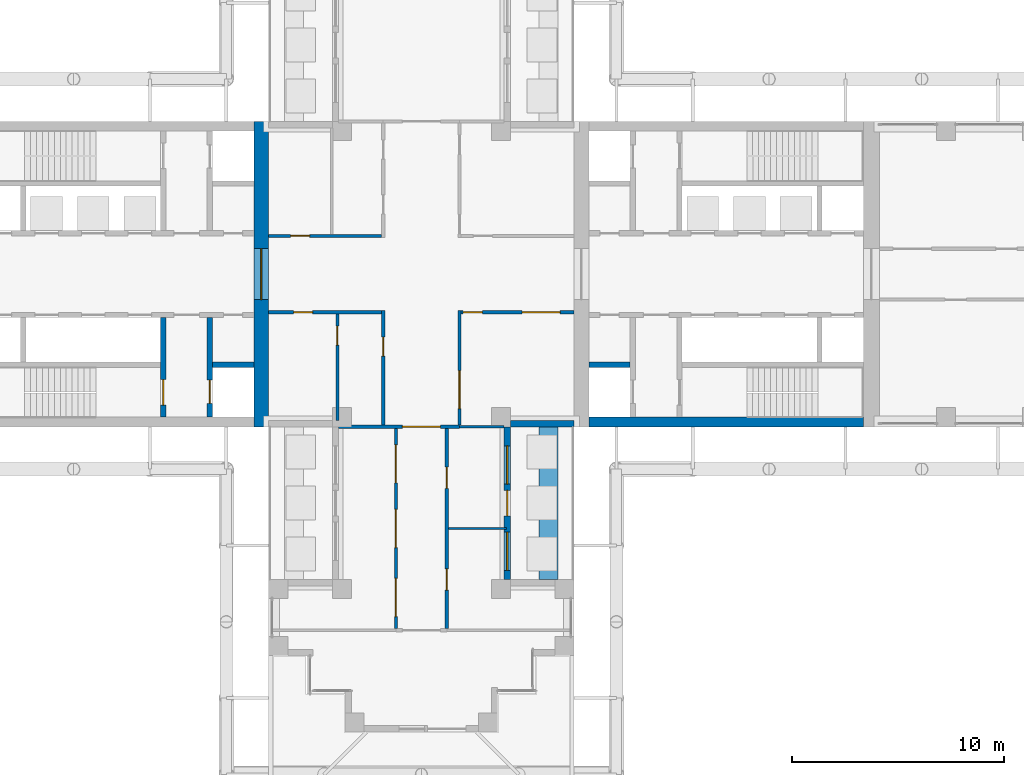
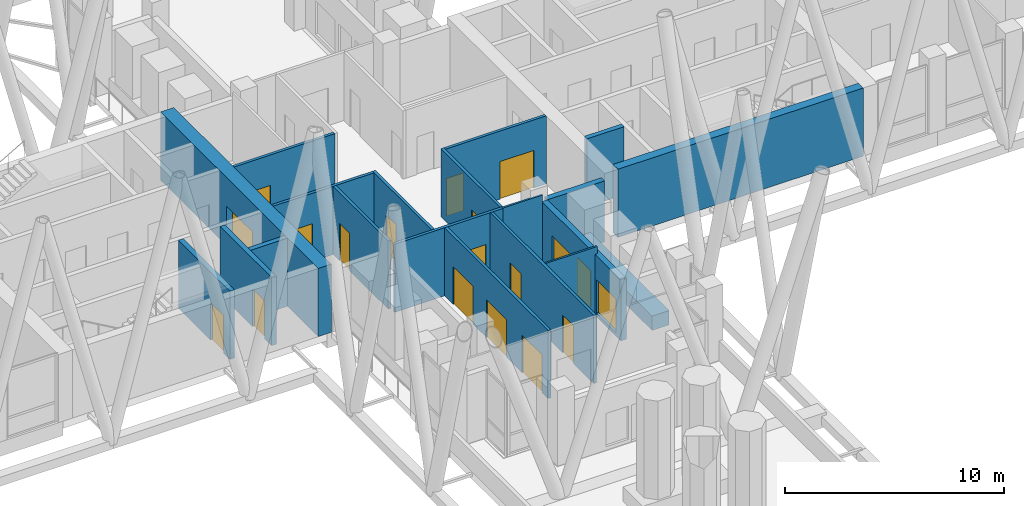
# One storey, part 15 of 22: 20 walls, 17 doors, 2 windows, 19 openings.
"""IFC4 building model written with IfcOpenShell, lengths in metres."""

from ifc_helpers import new_model, si_unit, direction, frame, frame_2d, origin, place, context, subcontext, project, spatial, rectangle, extrude, material, layer, layer_set, type_object, element, fill, save


model = new_model("IFC4")

# Units and contexts
model_context = context("Model", 3, precision=1e-05, world=origin(), true_north=direction((0.0, 1.0)))
body_context = subcontext(model_context, "Body", "Model", "MODEL_VIEW")
ifc_project = project(units=[si_unit("LENGTHUNIT", "METRE"), si_unit("AREAUNIT", "SQUARE_METRE"), si_unit("VOLUMEUNIT", "CUBIC_METRE"), si_unit("PLANEANGLEUNIT", "RADIAN"), si_unit("MASSUNIT", "GRAM", prefix="KILO")], contexts=[model_context])

# Site, building, storey
site_placement = place(None, origin())
site = spatial("IfcSite", under=ifc_project, at=site_placement, CompositionType="ELEMENT")
building_placement = place(site_placement, origin())
building = spatial("IfcBuilding", under=site, at=building_placement, Name="Fustian Cross Tower", CompositionType="ELEMENT")
storey_placement = place(building_placement, frame((0.0, 0.0, 116.10009765625)))
storey = spatial("IfcBuildingStorey", under=building, at=storey_placement, Name="L36", CompositionType="ELEMENT", Elevation=116.10009765625)

# Wall, opening, door
ifc_material_1 = material(Name="Plasterboard on steel stud", Category="steel")
ifc_layer_1 = layer(ifc_material_1, 0.14990234375)
ifc_layer_set_1 = layer_set([ifc_layer_1], Name="Plasterboard on steel stud")
wall_type_1 = type_object("IfcWallType", Name="COMPARTMENT WALL 150 EI 60", PredefinedType="PARTITIONING", material=ifc_layer_set_1)
wall_1_placement = place(storey_placement, frame((-7.199951171875, -1.800048828125, 0.0), z_axis=(0.0, 0.0, 1.0), x_axis=(1.0, 0.0, 0.0)))
wall_1 = element("IfcWall", 1, at=wall_1_placement, inside=storey, type_object=wall_type_1, Name="Partition 5", PredefinedType="PARTITIONING", context=body_context, shape_type="SweptSolid", body=[
    extrude(rectangle(XDim=5.324951171875, YDim=0.14990234375, at=frame_2d((2.66259765625, 0.0))), origin(), (0.0, 0.0, 1.0), 3.7998046875),
])
opening_1_placement = place(wall_1_placement, frame((1.169921875, 0.0, 0.0)))
opening_1 = element("IfcOpeningElement", 2, at=opening_1_placement, cuts=wall_1, Name="Opening D17009", PredefinedType="OPENING", context=body_context, shape_type="SweptSolid", body=[
    extrude(rectangle(XDim=0.89990234375, YDim=2.10009765625, at=frame_2d((0.449951171875, 1.050048828125))), frame((0.0, 0.0849609375, 0.0), z_axis=(0.0, -1.0, 0.0), x_axis=(1.0, 0.0, 0.0)), (0.0, 0.0, 1.0), 0.169921875),
])
ifc_material_2 = material(Name="Timber fire door set", Category="wood")
door_type_1 = type_object("IfcDoorType", Name="FIRE SWING DOOR 900 FD30S", OperationType="SINGLE_SWING_LEFT", PredefinedType="DOOR", material=ifc_material_2)
door_1_placement = place(opening_1_placement, origin())
door_1 = element("IfcDoor", 3, at=door_1_placement, inside=storey, type_object=door_type_1, Name="Door D17009", OperationType="SINGLE_SWING_LEFT", OverallHeight=2.10009765625, OverallWidth=0.89990234375, PredefinedType="DOOR", context=body_context, shape_type="SweptSolid", body=[
    extrude(rectangle(XDim=0.89990234375, YDim=2.10009765625, at=frame_2d((0.449951171875, 1.050048828125))), frame((0.0, 0.02490234375, 0.0), z_axis=(0.0, -1.0, 0.0), x_axis=(1.0, 0.0, 0.0)), (0.0, 0.0, 1.0), 0.050048828125),
])
fill(opening_1, door_1)

wall_2_placement = place(storey_placement, frame((-7.199951171875, 1.800048828125, 0.0), z_axis=(0.0, 0.0, 1.0), x_axis=(1.0, 0.0, 0.0)))
wall_2 = element("IfcWall", 4, at=wall_2_placement, inside=storey, type_object=wall_type_1, Name="Partition 6", PredefinedType="PARTITIONING", context=body_context, shape_type="SweptSolid", body=[
    extrude(rectangle(XDim=5.324951171875, YDim=0.14990234375, at=frame_2d((2.66259765625, 0.0))), origin(), (0.0, 0.0, 1.0), 3.7998046875),
])
opening_2_placement = place(wall_2_placement, frame((1.034912109375, 0.0, 0.0)))
opening_2 = element("IfcOpeningElement", 5, at=opening_2_placement, cuts=wall_2, Name="Opening D17006", PredefinedType="OPENING", context=body_context, shape_type="SweptSolid", body=[
    extrude(rectangle(XDim=0.89990234375, YDim=2.10009765625, at=frame_2d((0.449951171875, 1.050048828125))), frame((0.0, 0.0849609375, 0.0), z_axis=(0.0, -1.0, 0.0), x_axis=(1.0, 0.0, 0.0)), (0.0, 0.0, 1.0), 0.169921875),
])
door_2_placement = place(opening_2_placement, origin())
door_2 = element("IfcDoor", 6, at=door_2_placement, inside=storey, type_object=door_type_1, Name="Door D17006", OperationType="SINGLE_SWING_RIGHT", OverallHeight=2.10009765625, OverallWidth=0.89990234375, PredefinedType="DOOR", context=body_context, shape_type="SweptSolid", body=[
    extrude(rectangle(XDim=0.89990234375, YDim=2.10009765625, at=frame_2d((0.449951171875, 1.050048828125))), frame((0.0, 0.02490234375, 0.0), z_axis=(0.0, -1.0, 0.0), x_axis=(1.0, 0.0, 0.0)), (0.0, 0.0, 1.0), 0.050048828125),
])
fill(opening_2, door_2)

wall_3_placement = place(storey_placement, frame((-3.9599609375, -6.89990234375, 0.0), z_axis=(0.0, 0.0, 1.0), x_axis=(0.0, 1.0, 0.0)))
wall_3 = element("IfcWall", 7, at=wall_3_placement, inside=storey, type_object=wall_type_1, Name="Partition 9", PredefinedType="PARTITIONING", context=body_context, shape_type="SweptSolid", body=[
    extrude(rectangle(XDim=5.02490234375, YDim=0.14990234375, at=frame_2d((2.512451171875, 0.0))), origin(), (0.0, 0.0, 1.0), 3.7998046875),
])
opening_3_placement = place(wall_3_placement, frame((3.550048828125, 0.0, 0.0)))
opening_3 = element("IfcOpeningElement", 8, at=opening_3_placement, cuts=wall_3, Name="Opening D17007", PredefinedType="OPENING", context=body_context, shape_type="SweptSolid", body=[
    extrude(rectangle(XDim=0.89990234375, YDim=2.10009765625, at=frame_2d((0.449951171875, 1.050048828125))), frame((0.0, 0.0849609375, 0.0), z_axis=(0.0, -1.0, 0.0), x_axis=(1.0, 0.0, 0.0)), (0.0, 0.0, 1.0), 0.169921875),
])
door_3_placement = place(opening_3_placement, frame((0.89990234375, 0.0, 0.0), z_axis=(0.0, 0.0, 1.0), x_axis=(-1.0, 0.0, 0.0)))
door_3 = element("IfcDoor", 9, at=door_3_placement, inside=storey, type_object=door_type_1, Name="Door D17007", OperationType="SINGLE_SWING_LEFT", OverallHeight=2.10009765625, OverallWidth=0.89990234375, PredefinedType="DOOR", context=body_context, shape_type="SweptSolid", body=[
    extrude(rectangle(XDim=0.89990234375, YDim=2.10009765625, at=frame_2d((0.449951171875, 1.050048828125))), frame((0.0, 0.02490234375, 0.0), z_axis=(0.0, -1.0, 0.0), x_axis=(1.0, 0.0, 0.0)), (0.0, 0.0, 1.0), 0.050048828125),
])
fill(opening_3, door_3)

wall_4_placement = place(storey_placement, frame((-3.89990234375, -7.199951171875, 0.0), z_axis=(0.0, 0.0, 1.0), x_axis=(1.0, 0.0, 0.0)))
wall_4 = element("IfcWall", 10, at=wall_4_placement, inside=storey, type_object=wall_type_1, Name="Partition 10", PredefinedType="PARTITIONING", context=body_context, shape_type="SweptSolid", body=[
    extrude(rectangle(XDim=5.699951171875, YDim=0.14990234375, at=frame_2d((2.85009765625, 0.0))), origin(), (0.0, 0.0, 1.0), 3.7998046875),
])
opening_4_placement = place(wall_4_placement, frame((3.0, 0.0, 0.0)))
opening_4 = element("IfcOpeningElement", 11, at=opening_4_placement, cuts=wall_4, Name="Opening D17014", PredefinedType="OPENING", context=body_context, shape_type="SweptSolid", body=[
    extrude(rectangle(XDim=1.800048828125, YDim=2.10009765625, at=frame_2d((0.89990234375, 1.050048828125))), frame((0.0, 0.0849609375, 0.0), z_axis=(0.0, -1.0, 0.0), x_axis=(1.0, 0.0, 0.0)), (0.0, 0.0, 1.0), 0.169921875),
])
ifc_material_3 = material(Name="Timber fire door set", Category="wood")
door_type_2 = type_object("IfcDoorType", Name="FIRE DOUBLE DOOR 1800 FD30S", OperationType="DOUBLE_DOOR_DOUBLE_SWING", PredefinedType="DOOR", material=ifc_material_3)
door_4_placement = place(opening_4_placement, frame((1.800048828125, 0.0, 0.0), z_axis=(0.0, 0.0, 1.0), x_axis=(-1.0, 0.0, 0.0)))
door_4 = element("IfcDoor", 12, at=door_4_placement, inside=storey, type_object=door_type_2, Name="Door D17014", OperationType="DOUBLE_DOOR_DOUBLE_SWING", OverallHeight=2.10009765625, OverallWidth=1.800048828125, PredefinedType="DOOR", context=body_context, shape_type="SweptSolid", body=[
    extrude(rectangle(XDim=1.800048828125, YDim=2.10009765625, at=frame_2d((0.89990234375, 1.050048828125))), frame((0.0, 0.02490234375, 0.0), z_axis=(0.0, -1.0, 0.0), x_axis=(1.0, 0.0, 0.0)), (0.0, 0.0, 1.0), 0.050048828125),
])
fill(opening_4, door_4)

wall_5_placement = place(storey_placement, frame((-1.800048828125, -7.125, 0.0), z_axis=(0.0, 0.0, 1.0), x_axis=(0.0, 1.0, 0.0)))
wall_5 = element("IfcWall", 13, at=wall_5_placement, inside=storey, type_object=wall_type_1, Name="Partition 12", PredefinedType="PARTITIONING", context=body_context, shape_type="SweptSolid", body=[
    extrude(rectangle(XDim=5.39990234375, YDim=0.14990234375, at=frame_2d((2.699951171875, 0.0))), origin(), (0.0, 0.0, 1.0), 3.7998046875),
])
opening_5_placement = place(wall_5_placement, frame((3.2548828125, 0.0, 0.0)))
opening_5 = element("IfcOpeningElement", 14, at=opening_5_placement, cuts=wall_5, Name="Opening D17008", PredefinedType="OPENING", context=body_context, shape_type="SweptSolid", body=[
    extrude(rectangle(XDim=0.89990234375, YDim=2.10009765625, at=frame_2d((0.449951171875, 1.050048828125))), frame((0.0, 0.0849609375, 0.0), z_axis=(0.0, -1.0, 0.0), x_axis=(1.0, 0.0, 0.0)), (0.0, 0.0, 1.0), 0.169921875),
])
door_5_placement = place(opening_5_placement, origin())
door_5 = element("IfcDoor", 15, at=door_5_placement, inside=storey, type_object=door_type_1, Name="Door D17008", OperationType="SINGLE_SWING_RIGHT", OverallHeight=2.10009765625, OverallWidth=0.89990234375, PredefinedType="DOOR", context=body_context, shape_type="SweptSolid", body=[
    extrude(rectangle(XDim=0.89990234375, YDim=2.10009765625, at=frame_2d((0.449951171875, 1.050048828125))), frame((0.0, 0.02490234375, 0.0), z_axis=(0.0, -1.0, 0.0), x_axis=(1.0, 0.0, 0.0)), (0.0, 0.0, 1.0), 0.050048828125),
])
fill(opening_5, door_5)

# Wall, openings, doors
wall_6_placement = place(storey_placement, frame((-1.199951171875, -16.72509765625, 0.0), z_axis=(0.0, 0.0, 1.0), x_axis=(0.0, 1.0, 0.0)))
wall_6 = element("IfcWall", 16, at=wall_6_placement, inside=storey, type_object=wall_type_1, Name="Partition 15", PredefinedType="PARTITIONING", context=body_context, shape_type="SweptSolid", body=[
    extrude(rectangle(XDim=9.4501953125, YDim=0.14990234375, at=frame_2d((4.72509765625, 0.0))), origin(), (0.0, 0.0, 1.0), 3.7998046875),
])
opening_6_placement = place(wall_6_placement, frame((0.574951171875, 0.0, 0.0)))
opening_6 = element("IfcOpeningElement", 17, at=opening_6_placement, cuts=wall_6, Name="Opening D17018", PredefinedType="OPENING", context=body_context, shape_type="SweptSolid", body=[
    extrude(rectangle(XDim=1.800048828125, YDim=2.10009765625, at=frame_2d((0.89990234375, 1.050048828125))), frame((0.0, 0.0849609375, 0.0), z_axis=(0.0, -1.0, 0.0), x_axis=(1.0, 0.0, 0.0)), (0.0, 0.0, 1.0), 0.169921875),
])
opening_7_placement = place(wall_6_placement, frame((3.824951171875, 0.0, 0.0)))
opening_7 = element("IfcOpeningElement", 18, at=opening_7_placement, cuts=wall_6, Name="Opening D17019", PredefinedType="OPENING", context=body_context, shape_type="SweptSolid", body=[
    extrude(rectangle(XDim=1.800048828125, YDim=2.10009765625, at=frame_2d((0.89990234375, 1.050048828125))), frame((0.0, 0.0849609375, 0.0), z_axis=(0.0, -1.0, 0.0), x_axis=(1.0, 0.0, 0.0)), (0.0, 0.0, 1.0), 0.169921875),
])
opening_8_placement = place(wall_6_placement, frame((6.875, 0.0, 0.0)))
opening_8 = element("IfcOpeningElement", 19, at=opening_8_placement, cuts=wall_6, Name="Opening D17020", PredefinedType="OPENING", context=body_context, shape_type="SweptSolid", body=[
    extrude(rectangle(XDim=1.800048828125, YDim=2.10009765625, at=frame_2d((0.89990234375, 1.050048828125))), frame((0.0, 0.0849609375, 0.0), z_axis=(0.0, -1.0, 0.0), x_axis=(1.0, 0.0, 0.0)), (0.0, 0.0, 1.0), 0.169921875),
])
door_6_placement = place(opening_6_placement, origin())
door_6 = element("IfcDoor", 20, at=door_6_placement, inside=storey, type_object=door_type_2, Name="Door D17018", OperationType="DOUBLE_DOOR_DOUBLE_SWING", OverallHeight=2.10009765625, OverallWidth=1.800048828125, PredefinedType="DOOR", context=body_context, shape_type="SweptSolid", body=[
    extrude(rectangle(XDim=1.800048828125, YDim=2.10009765625, at=frame_2d((0.89990234375, 1.050048828125))), frame((0.0, 0.02490234375, 0.0), z_axis=(0.0, -1.0, 0.0), x_axis=(1.0, 0.0, 0.0)), (0.0, 0.0, 1.0), 0.050048828125),
])
fill(opening_6, door_6)
door_7_placement = place(opening_7_placement, frame((1.800048828125, 0.0, 0.0), z_axis=(0.0, 0.0, 1.0), x_axis=(-1.0, 0.0, 0.0)))
door_7 = element("IfcDoor", 21, at=door_7_placement, inside=storey, type_object=door_type_2, Name="Door D17019", OperationType="DOUBLE_DOOR_DOUBLE_SWING", OverallHeight=2.10009765625, OverallWidth=1.800048828125, PredefinedType="DOOR", context=body_context, shape_type="SweptSolid", body=[
    extrude(rectangle(XDim=1.800048828125, YDim=2.10009765625, at=frame_2d((0.89990234375, 1.050048828125))), frame((0.0, 0.02490234375, 0.0), z_axis=(0.0, -1.0, 0.0), x_axis=(1.0, 0.0, 0.0)), (0.0, 0.0, 1.0), 0.050048828125),
])
fill(opening_7, door_7)
door_8_placement = place(opening_8_placement, origin())
door_8 = element("IfcDoor", 22, at=door_8_placement, inside=storey, type_object=door_type_2, Name="Door D17020", OperationType="DOUBLE_DOOR_DOUBLE_SWING", OverallHeight=2.10009765625, OverallWidth=1.800048828125, PredefinedType="DOOR", context=body_context, shape_type="SweptSolid", body=[
    extrude(rectangle(XDim=1.800048828125, YDim=2.10009765625, at=frame_2d((0.89990234375, 1.050048828125))), frame((0.0, 0.02490234375, 0.0), z_axis=(0.0, -1.0, 0.0), x_axis=(1.0, 0.0, 0.0)), (0.0, 0.0, 1.0), 0.050048828125),
])
fill(opening_8, door_8)

wall_7_placement = place(storey_placement, frame((1.199951171875, -16.72509765625, 0.0), z_axis=(0.0, 0.0, 1.0), x_axis=(0.0, 1.0, 0.0)))
wall_7 = element("IfcWall", 23, at=wall_7_placement, inside=storey, type_object=wall_type_1, Name="Partition 17", PredefinedType="PARTITIONING", context=body_context, shape_type="SweptSolid", body=[
    extrude(rectangle(XDim=9.4501953125, YDim=0.14990234375, at=frame_2d((4.72509765625, 0.0))), origin(), (0.0, 0.0, 1.0), 3.7998046875),
])
opening_9_placement = place(wall_7_placement, frame((6.625, 0.0, 0.0)))
opening_9 = element("IfcOpeningElement", 24, at=opening_9_placement, cuts=wall_7, Name="Opening D17016", PredefinedType="OPENING", context=body_context, shape_type="SweptSolid", body=[
    extrude(rectangle(XDim=1.0, YDim=2.10009765625, at=frame_2d((0.5, 1.050048828125))), frame((0.0, 0.0849609375, 0.0), z_axis=(0.0, -1.0, 0.0), x_axis=(1.0, 0.0, 0.0)), (0.0, 0.0, 1.0), 0.169921875),
])
opening_10_placement = place(wall_7_placement, frame((1.824951171875, 0.0, 0.0)))
opening_10 = element("IfcOpeningElement", 25, at=opening_10_placement, cuts=wall_7, Name="Opening D17017", PredefinedType="OPENING", context=body_context, shape_type="SweptSolid", body=[
    extrude(rectangle(XDim=1.0, YDim=2.10009765625, at=frame_2d((0.5, 1.050048828125))), frame((0.0, 0.0849609375, 0.0), z_axis=(0.0, -1.0, 0.0), x_axis=(1.0, 0.0, 0.0)), (0.0, 0.0, 1.0), 0.169921875),
])
ifc_material_4 = material(Name="Timber fire door set", Category="wood")
door_type_3 = type_object("IfcDoorType", Name="FIRE SWING DOOR 1000 FD30S", OperationType="SINGLE_SWING_LEFT", PredefinedType="DOOR", material=ifc_material_4)
door_9_placement = place(opening_9_placement, frame((1.0, 0.0, 0.0), z_axis=(0.0, 0.0, 1.0), x_axis=(-1.0, 0.0, 0.0)))
door_9 = element("IfcDoor", 26, at=door_9_placement, inside=storey, type_object=door_type_3, Name="Door D17016", OperationType="SINGLE_SWING_RIGHT", OverallHeight=2.10009765625, OverallWidth=1.0, PredefinedType="DOOR", context=body_context, shape_type="SweptSolid", body=[
    extrude(rectangle(XDim=1.0, YDim=2.10009765625, at=frame_2d((0.5, 1.050048828125))), frame((0.0, 0.02490234375, 0.0), z_axis=(0.0, -1.0, 0.0), x_axis=(1.0, 0.0, 0.0)), (0.0, 0.0, 1.0), 0.050048828125),
])
fill(opening_9, door_9)
door_10_placement = place(opening_10_placement, frame((1.0, 0.0, 0.0), z_axis=(0.0, 0.0, 1.0), x_axis=(-1.0, 0.0, 0.0)))
door_10 = element("IfcDoor", 27, at=door_10_placement, inside=storey, type_object=door_type_3, Name="Door D17017", OperationType="SINGLE_SWING_RIGHT", OverallHeight=2.10009765625, OverallWidth=1.0, PredefinedType="DOOR", context=body_context, shape_type="SweptSolid", body=[
    extrude(rectangle(XDim=1.0, YDim=2.10009765625, at=frame_2d((0.5, 1.050048828125))), frame((0.0, 0.02490234375, 0.0), z_axis=(0.0, -1.0, 0.0), x_axis=(1.0, 0.0, 0.0)), (0.0, 0.0, 1.0), 0.050048828125),
])
fill(opening_10, door_10)

# Wall, opening, door
wall_8_placement = place(storey_placement, frame((1.800048828125, -7.125, 0.0), z_axis=(0.0, 0.0, 1.0), x_axis=(0.0, 1.0, 0.0)))
wall_8 = element("IfcWall", 28, at=wall_8_placement, inside=storey, type_object=wall_type_1, Name="Partition 20", PredefinedType="PARTITIONING", context=body_context, shape_type="SweptSolid", body=[
    extrude(rectangle(XDim=5.39990234375, YDim=0.14990234375, at=frame_2d((2.699951171875, 0.0))), origin(), (0.0, 0.0, 1.0), 3.7998046875),
])
opening_11_placement = place(wall_8_placement, frame((0.77490234375, 0.0, 0.0)))
opening_11 = element("IfcOpeningElement", 29, at=opening_11_placement, cuts=wall_8, Name="Opening D17010", PredefinedType="OPENING", context=body_context, shape_type="SweptSolid", body=[
    extrude(rectangle(XDim=1.800048828125, YDim=2.10009765625, at=frame_2d((0.89990234375, 1.050048828125))), frame((0.0, 0.0849609375, 0.0), z_axis=(0.0, -1.0, 0.0), x_axis=(1.0, 0.0, 0.0)), (0.0, 0.0, 1.0), 0.169921875),
])
door_11_placement = place(opening_11_placement, origin())
door_11 = element("IfcDoor", 30, at=door_11_placement, inside=storey, type_object=door_type_2, Name="Door D17010", OperationType="DOUBLE_DOOR_DOUBLE_SWING", OverallHeight=2.10009765625, OverallWidth=1.800048828125, PredefinedType="DOOR", context=body_context, shape_type="SweptSolid", body=[
    extrude(rectangle(XDim=1.800048828125, YDim=2.10009765625, at=frame_2d((0.89990234375, 1.050048828125))), frame((0.0, 0.02490234375, 0.0), z_axis=(0.0, -1.0, 0.0), x_axis=(1.0, 0.0, 0.0)), (0.0, 0.0, 1.0), 0.050048828125),
])
fill(opening_11, door_11)

# Wall, openings, doors
wall_9_placement = place(storey_placement, frame((1.875, -1.800048828125, 0.0), z_axis=(0.0, 0.0, 1.0), x_axis=(1.0, 0.0, 0.0)))
wall_9 = element("IfcWall", 31, at=wall_9_placement, inside=storey, type_object=wall_type_1, Name="Partition 22", PredefinedType="PARTITIONING", context=body_context, shape_type="SweptSolid", body=[
    extrude(rectangle(XDim=5.324951171875, YDim=0.14990234375, at=frame_2d((2.66259765625, 0.0))), origin(), (0.0, 0.0, 1.0), 3.7998046875),
])
opening_12_placement = place(wall_9_placement, frame((0.10009765625, 0.0, 0.0)))
opening_12 = element("IfcOpeningElement", 32, at=opening_12_placement, cuts=wall_9, Name="Opening D17011", PredefinedType="OPENING", context=body_context, shape_type="SweptSolid", body=[
    extrude(rectangle(XDim=0.89990234375, YDim=2.10009765625, at=frame_2d((0.449951171875, 1.050048828125))), frame((0.0, 0.0849609375, 0.0), z_axis=(0.0, -1.0, 0.0), x_axis=(1.0, 0.0, 0.0)), (0.0, 0.0, 1.0), 0.169921875),
])
opening_13_placement = place(wall_9_placement, frame((2.875, 0.0, 0.0)))
opening_13 = element("IfcOpeningElement", 33, at=opening_13_placement, cuts=wall_9, Name="Opening D17012", PredefinedType="OPENING", context=body_context, shape_type="SweptSolid", body=[
    extrude(rectangle(XDim=1.800048828125, YDim=2.10009765625, at=frame_2d((0.89990234375, 1.050048828125))), frame((0.0, 0.0849609375, 0.0), z_axis=(0.0, -1.0, 0.0), x_axis=(1.0, 0.0, 0.0)), (0.0, 0.0, 1.0), 0.169921875),
])
door_12_placement = place(opening_13_placement, frame((1.800048828125, 0.0, 0.0), z_axis=(0.0, 0.0, 1.0), x_axis=(-1.0, 0.0, 0.0)))
door_12 = element("IfcDoor", 34, at=door_12_placement, inside=storey, type_object=door_type_2, Name="Door D17012", OperationType="DOUBLE_DOOR_DOUBLE_SWING", OverallHeight=2.10009765625, OverallWidth=1.800048828125, PredefinedType="DOOR", context=body_context, shape_type="SweptSolid", body=[
    extrude(rectangle(XDim=1.800048828125, YDim=2.10009765625, at=frame_2d((0.89990234375, 1.050048828125))), frame((0.0, 0.02490234375, 0.0), z_axis=(0.0, -1.0, 0.0), x_axis=(1.0, 0.0, 0.0)), (0.0, 0.0, 1.0), 0.050048828125),
])
fill(opening_13, door_12)
door_13_placement = place(opening_12_placement, frame((0.89990234375, 0.0, 0.0), z_axis=(0.0, 0.0, 1.0), x_axis=(-1.0, 0.0, 0.0)))
door_13 = element("IfcDoor", 35, at=door_13_placement, inside=storey, type_object=door_type_1, Name="Door D17011", OperationType="SINGLE_SWING_RIGHT", OverallHeight=2.10009765625, OverallWidth=0.89990234375, PredefinedType="DOOR", context=body_context, shape_type="SweptSolid", body=[
    extrude(rectangle(XDim=0.89990234375, YDim=2.10009765625, at=frame_2d((0.449951171875, 1.050048828125))), frame((0.0, 0.02490234375, 0.0), z_axis=(0.0, -1.0, 0.0), x_axis=(1.0, 0.0, 0.0)), (0.0, 0.0, 1.0), 0.050048828125),
])
fill(opening_12, door_13)

# Wall, opening, door
ifc_material_5 = material(Name="Concrete C60/75", Category="concrete")
ifc_layer_2 = layer(ifc_material_5, 0.699951171875)
ifc_layer_set_2 = layer_set([ifc_layer_2], Name="Concrete C60/75")
wall_type_2 = type_object("IfcWallType", Name="CORE END WALL 700 C60/75", PredefinedType="SHEAR", material=ifc_layer_set_2)
wall_10_placement = place(storey_placement, frame((-7.550048828125, -7.199951171875, 0.0), z_axis=(0.0, 0.0, 1.0), x_axis=(0.0, 1.0, 0.0)))
wall_10 = element("IfcWall", 36, at=wall_10_placement, inside=storey, type_object=wall_type_2, Name="Core end wall", PredefinedType="SHEAR", context=body_context, shape_type="SweptSolid", body=[
    extrude(rectangle(XDim=14.39990234375, YDim=0.699951171875, at=frame_2d((7.199951171875, 0.0))), origin(), (0.0, 0.0, 1.0), 3.7998046875),
])
opening_14_placement = place(wall_10_placement, frame((6.0, 0.0, 0.0)))
opening_14 = element("IfcOpeningElement", 37, at=opening_14_placement, cuts=wall_10, Name="Opening CD-14-35", PredefinedType="OPENING", context=body_context, shape_type="SweptSolid", body=[
    extrude(rectangle(XDim=2.39990234375, YDim=2.199951171875, at=frame_2d((1.199951171875, 1.10009765625))), frame((0.0, 0.35986328125, 0.0), z_axis=(0.0, -1.0, 0.0), x_axis=(1.0, 0.0, 0.0)), (0.0, 0.0, 1.0), 0.719970703125),
])
ifc_material_6 = material(Name="Steel", Category="steel")
door_type_4 = type_object("IfcDoorType", Name="FIRE DOOR FD30S DOUBLE 2400X2200", OperationType="DOUBLE_DOOR_DOUBLE_SWING", PredefinedType="DOOR", material=ifc_material_6)
door_14_placement = place(opening_14_placement, origin())
door_14 = element("IfcDoor", 38, at=door_14_placement, inside=storey, type_object=door_type_4, Name="Core door CD-14-35", OperationType="DOUBLE_DOOR_DOUBLE_SWING", OverallHeight=2.199951171875, OverallWidth=2.39990234375, PredefinedType="DOOR", context=body_context, shape_type="SweptSolid", body=[
    extrude(rectangle(XDim=2.39990234375, YDim=2.199951171875, at=frame_2d((1.199951171875, 1.10009765625))), frame((0.0, 0.02490234375, 0.0), z_axis=(0.0, -1.0, 0.0), x_axis=(1.0, 0.0, 0.0)), (0.0, 0.0, 1.0), 0.050048828125),
])
fill(opening_14, door_14)

# Walls
ifc_material_7 = material(Name="Concrete C60/75", Category="concrete")
ifc_layer_3 = layer(ifc_material_7, 0.449951171875)
ifc_layer_set_3 = layer_set([ifc_layer_3], Name="Concrete C60/75")
wall_type_3 = type_object("IfcWallType", Name="CORE FACADE WALL 450 C60/75", PredefinedType="SHEAR", material=ifc_layer_set_3)
wall_11_placement = place(storey_placement, frame((7.89990234375, -6.97509765625, 0.0), z_axis=(0.0, 0.0, 1.0), x_axis=(1.0, 0.0, 0.0)))
element("IfcWall", 39, at=wall_11_placement, inside=storey, type_object=wall_type_3, Name="Core facade wall", PredefinedType="SHEAR", context=body_context, shape_type="SweptSolid", body=[
    extrude(rectangle(XDim=12.9501953125, YDim=0.449951171875, at=frame_2d((6.47509765625, 0.0))), origin(), (0.0, 0.0, 1.0), 3.7998046875),
])
ifc_material_8 = material(Name="Concrete C50/60", Category="concrete")
ifc_layer_4 = layer(ifc_material_8, 0.25)
ifc_layer_set_4 = layer_set([ifc_layer_4], Name="Concrete C50/60")
wall_type_4 = type_object("IfcWallType", Name="CORE SHAFT WALL 250 C50/60", PredefinedType="SHEAR", material=ifc_layer_set_4)
for number, where, z_axis, x_axis, name in (
    (40, (7.89990234375, -4.27490234375, 0.0), (0.0, 0.0, 1.0), (1.0, 0.0, 0.0), "Core shaft wall"),
    (41, (-7.89990234375, -4.27490234375, 0.0), (0.0, 0.0, 1.0), (-1.0, 0.0, 0.0), "Core shaft wall"),
):
    element("IfcWall", number, at=place(storey_placement, frame(where, z_axis=z_axis, x_axis=x_axis)), inside=storey, type_object=wall_type_4, Name=name, PredefinedType="SHEAR", context=body_context, shape_type="SweptSolid", body=[
        extrude(rectangle(XDim=1.9501953125, YDim=0.25, at=frame_2d((0.97509765625, 0.0))), origin(), (0.0, 0.0, 1.0), 3.7998046875),
    ])

# Wall, opening, door
wall_12_placement = place(storey_placement, frame((-9.97509765625, -2.050048828125, 0.0), z_axis=(0.0, 0.0, 1.0), x_axis=(0.0, -1.0, 0.0)))
wall_12 = element("IfcWall", 42, at=wall_12_placement, inside=storey, type_object=wall_type_4, Name="Core shaft wall", PredefinedType="SHEAR", context=body_context, shape_type="SweptSolid", body=[
    extrude(rectangle(XDim=4.699951171875, YDim=0.25, at=frame_2d((2.35009765625, 0.0))), origin(), (0.0, 0.0, 1.0), 3.7998046875),
])
opening_15_placement = place(wall_12_placement, frame((2.949951171875, 0.0, 0.0)))
opening_15 = element("IfcOpeningElement", 43, at=opening_15_placement, cuts=wall_12, Name="Opening LD", PredefinedType="OPENING", context=body_context, shape_type="SweptSolid", body=[
    extrude(rectangle(XDim=1.10009765625, YDim=2.10009765625, at=frame_2d((0.550048828125, 1.050048828125))), frame((0.0, 0.135009765625, 0.0), z_axis=(0.0, -1.0, 0.0), x_axis=(1.0, 0.0, 0.0)), (0.0, 0.0, 1.0), 0.27001953125),
])
ifc_material_9 = material(Name="Stainless steel", Category="steel")
door_type_5 = type_object("IfcDoorType", Name="LIFT LANDING DOOR 1100X2100", OperationType="SLIDING_TO_LEFT", PredefinedType="DOOR", material=ifc_material_9)
door_15_placement = place(opening_15_placement, origin())
door_15 = element("IfcDoor", 44, at=door_15_placement, inside=storey, type_object=door_type_5, Name="Landing door SV1W", OperationType="SLIDING_TO_LEFT", OverallHeight=2.10009765625, OverallWidth=1.10009765625, PredefinedType="DOOR", context=body_context, shape_type="SweptSolid", body=[
    extrude(rectangle(XDim=1.10009765625, YDim=2.10009765625, at=frame_2d((0.550048828125, 1.050048828125))), frame((0.0, 0.02490234375, 0.0), z_axis=(0.0, -1.0, 0.0), x_axis=(1.0, 0.0, 0.0)), (0.0, 0.0, 1.0), 0.050048828125),
])
fill(opening_15, door_15)

wall_13_placement = place(storey_placement, frame((-12.175048828125, -2.050048828125, 0.0), z_axis=(0.0, 0.0, 1.0), x_axis=(0.0, -1.0, 0.0)))
wall_13 = element("IfcWall", 45, at=wall_13_placement, inside=storey, type_object=wall_type_4, Name="Core shaft wall", PredefinedType="SHEAR", context=body_context, shape_type="SweptSolid", body=[
    extrude(rectangle(XDim=4.699951171875, YDim=0.25, at=frame_2d((2.35009765625, 0.0))), origin(), (0.0, 0.0, 1.0), 3.7998046875),
])
opening_16_placement = place(wall_13_placement, frame((2.925048828125, 0.0, 0.0)))
opening_16 = element("IfcOpeningElement", 46, at=opening_16_placement, cuts=wall_13, Name="Opening CD-14-30", PredefinedType="OPENING", context=body_context, shape_type="SweptSolid", body=[
    extrude(rectangle(XDim=1.199951171875, YDim=2.10009765625, at=frame_2d((0.60009765625, 1.050048828125))), frame((0.0, 0.135009765625, 0.0), z_axis=(0.0, -1.0, 0.0), x_axis=(1.0, 0.0, 0.0)), (0.0, 0.0, 1.0), 0.27001953125),
])
ifc_material_10 = material(Name="Steel", Category="steel")
door_type_6 = type_object("IfcDoorType", Name="FIRE DOOR FD60S 1200X2100", OperationType="SINGLE_SWING_LEFT", PredefinedType="DOOR", material=ifc_material_10)
door_16_placement = place(opening_16_placement, frame((1.199951171875, 0.0, 0.0), z_axis=(0.0, 0.0, 1.0), x_axis=(-1.0, 0.0, 0.0)))
door_16 = element("IfcDoor", 47, at=door_16_placement, inside=storey, type_object=door_type_6, Name="Core door CD-14-30", OperationType="SINGLE_SWING_RIGHT", OverallHeight=2.10009765625, OverallWidth=1.199951171875, PredefinedType="DOOR", context=body_context, shape_type="SweptSolid", body=[
    extrude(rectangle(XDim=1.199951171875, YDim=2.10009765625, at=frame_2d((0.60009765625, 1.050048828125))), frame((0.0, 0.02490234375, 0.0), z_axis=(0.0, -1.0, 0.0), x_axis=(1.0, 0.0, 0.0)), (0.0, 0.0, 1.0), 0.050048828125),
])
fill(opening_16, door_16)

# Walls
ifc_material_11 = material(Name="Plasterboard on steel stud", Category="steel")
ifc_layer_5 = layer(ifc_material_11, 0.10009765625)
ifc_layer_set_5 = layer_set([ifc_layer_5], Name="Plasterboard on steel stud")
wall_type_5 = type_object("IfcWallType", Name="PARTITION 100 STUD", PredefinedType="PARTITIONING", material=ifc_layer_set_5)
wall_14_placement = place(storey_placement, frame((1.27490234375, -12.0, 0.0), z_axis=(0.0, 0.0, 1.0), x_axis=(1.0, 0.0, 0.0)))
element("IfcWall", 48, at=wall_14_placement, inside=storey, type_object=wall_type_5, Name="Partition 19", PredefinedType="PARTITIONING", context=body_context, shape_type="SweptSolid", body=[
    extrude(rectangle(XDim=2.7451171875, YDim=0.10009765625, at=frame_2d((1.37255859375, 0.0))), origin(), (0.0, 0.0, 1.0), 3.7998046875),
])
wall_15_placement = place(storey_placement, frame((1.800048828125, -7.199951171875, 0.0), z_axis=(0.0, 0.0, 1.0), x_axis=(1.0, 0.0, 0.0)))
element("IfcWall", 49, at=wall_15_placement, inside=storey, type_object=wall_type_5, Name="Partition 21", PredefinedType="PARTITIONING", context=body_context, shape_type="SweptSolid", body=[
    extrude(rectangle(XDim=2.099853515625, YDim=0.10009765625, at=frame_2d((1.0498046875, 0.0))), origin(), (0.0, 0.0, 1.0), 3.7998046875),
])
ifc_material_12 = material(Name="Concrete C40/50", Category="concrete")
ifc_layer_6 = layer(ifc_material_12, 0.89990234375)
ifc_layer_set_6 = layer_set([ifc_layer_6], Name="Concrete C40/50")
wall_type_6 = type_object("IfcWallType", Name="PK1 PLANTER 900", PredefinedType="PARAPET", material=ifc_layer_set_6)
wall_16_placement = place(storey_placement, frame((6.0, -14.39990234375, 0.0), z_axis=(0.0, 0.0, 1.0), x_axis=(0.0, 1.0, 0.0)))
element("IfcWall", 50, at=wall_16_placement, inside=storey, type_object=wall_type_6, Name="PLANTER", PredefinedType="PARAPET", context=body_context, shape_type="SweptSolid", body=[
    extrude(rectangle(XDim=7.199951171875, YDim=0.89990234375, at=frame_2d((3.60009765625, 0.0))), origin(), (0.0, 0.0, 1.0), 0.7998046875),
])

# Wall, openings, door, windows
ifc_material_13 = material(Name="Dark aluminium cladding on insulated backing wall", Category="aluminium")
ifc_layer_7 = layer(ifc_material_13, 0.300048828125)
ifc_layer_set_7 = layer_set([ifc_layer_7], Name="Dark aluminium cladding on insulated backing wall")
wall_type_7 = type_object("IfcWallType", Name="XW1 EXTERNAL WALL 300", PredefinedType="SOLIDWALL", material=ifc_layer_set_7)
wall_17_placement = place(storey_placement, frame((4.050048828125, -14.39990234375, 0.0), z_axis=(0.0, 0.0, 1.0), x_axis=(0.0, 1.0, 0.0)))
wall_17 = element("IfcWall", 51, at=wall_17_placement, inside=storey, type_object=wall_type_7, Name="External wall", PredefinedType="SOLIDWALL", context=body_context, shape_type="SweptSolid", body=[
    extrude(rectangle(XDim=7.199951171875, YDim=0.300048828125, at=frame_2d((3.60009765625, 0.0))), origin(), (0.0, 0.0, 1.0), 3.39990234375),
])
opening_17_placement = place(wall_17_placement, frame((3.0, 0.0, 0.0)))
opening_17 = element("IfcOpeningElement", 52, at=opening_17_placement, cuts=wall_17, Name="Opening XD3", PredefinedType="OPENING", context=body_context, shape_type="SweptSolid", body=[
    extrude(rectangle(XDim=1.199951171875, YDim=2.050048828125, at=frame_2d((0.60009765625, 1.02490234375))), frame((0.0, 0.159912109375, 0.0), z_axis=(0.0, -1.0, 0.0), x_axis=(1.0, 0.0, 0.0)), (0.0, 0.0, 1.0), 0.320068359375),
])
opening_18_placement = place(wall_17_placement, frame((0.425048828125, 0.0, 0.199951171875)))
opening_18 = element("IfcOpeningElement", 53, at=opening_18_placement, cuts=wall_17, Name="Opening WN2", PredefinedType="OPENING", context=body_context, shape_type="SweptSolid", body=[
    extrude(rectangle(XDim=1.800048828125, YDim=1.85009765625, at=frame_2d((0.89990234375, 0.925048828125))), frame((0.0, 0.159912109375, 0.0), z_axis=(0.0, -1.0, 0.0), x_axis=(1.0, 0.0, 0.0)), (0.0, 0.0, 1.0), 0.320068359375),
])
opening_19_placement = place(wall_17_placement, frame((4.5, 0.0, 0.199951171875)))
opening_19 = element("IfcOpeningElement", 54, at=opening_19_placement, cuts=wall_17, Name="Opening WN2", PredefinedType="OPENING", context=body_context, shape_type="SweptSolid", body=[
    extrude(rectangle(XDim=1.800048828125, YDim=1.85009765625, at=frame_2d((0.89990234375, 0.925048828125))), frame((0.0, 0.159912109375, 0.0), z_axis=(0.0, -1.0, 0.0), x_axis=(1.0, 0.0, 0.0)), (0.0, 0.0, 1.0), 0.320068359375),
])
ifc_material_14 = material(Name="Dark anodised aluminium and double glazing", Category="aluminium")
door_type_7 = type_object("IfcDoorType", Name="ED1 BALCONY DOOR 1200X2050", OperationType="SINGLE_SWING_LEFT", PredefinedType="DOOR", material=ifc_material_14)
door_17_placement = place(opening_17_placement, origin())
door_17 = element("IfcDoor", 55, at=door_17_placement, inside=storey, type_object=door_type_7, Name="Balcony door", OperationType="SINGLE_SWING_LEFT", OverallHeight=2.050048828125, OverallWidth=1.199951171875, PredefinedType="DOOR", context=body_context, shape_type="SweptSolid", body=[
    extrude(rectangle(XDim=1.199951171875, YDim=2.050048828125, at=frame_2d((0.60009765625, 1.02490234375))), frame((0.0, 0.02490234375, 0.0), z_axis=(0.0, -1.0, 0.0), x_axis=(1.0, 0.0, 0.0)), (0.0, 0.0, 1.0), 0.050048828125),
])
fill(opening_17, door_17)
ifc_material_15 = material(Name="Dark anodised aluminium and double glazing", Category="aluminium")
window_type = type_object("IfcWindowType", Name="WN2 WINDOW 1800X1850", PartitioningType="SINGLE_PANEL", PredefinedType="WINDOW", material=ifc_material_15)
window_1_placement = place(opening_18_placement, origin())
window_1 = element("IfcWindow", 56, at=window_1_placement, inside=storey, type_object=window_type, Name="Window", OverallHeight=1.85009765625, OverallWidth=1.800048828125, PartitioningType="SINGLE_PANEL", PredefinedType="WINDOW", context=body_context, shape_type="SweptSolid", body=[
    extrude(rectangle(XDim=1.800048828125, YDim=1.85009765625, at=frame_2d((0.89990234375, 0.925048828125))), frame((0.0, 0.030029296875, 0.0), z_axis=(0.0, -1.0, 0.0), x_axis=(1.0, 0.0, 0.0)), (0.0, 0.0, 1.0), 0.06005859375),
])
fill(opening_18, window_1)
window_2_placement = place(opening_19_placement, origin())
window_2 = element("IfcWindow", 57, at=window_2_placement, inside=storey, type_object=window_type, Name="Window", OverallHeight=1.85009765625, OverallWidth=1.800048828125, PartitioningType="SINGLE_PANEL", PredefinedType="WINDOW", context=body_context, shape_type="SweptSolid", body=[
    extrude(rectangle(XDim=1.800048828125, YDim=1.85009765625, at=frame_2d((0.89990234375, 0.925048828125))), frame((0.0, 0.030029296875, 0.0), z_axis=(0.0, -1.0, 0.0), x_axis=(1.0, 0.0, 0.0)), (0.0, 0.0, 1.0), 0.06005859375),
])
fill(opening_19, window_2)

# Wall
wall_18_placement = place(storey_placement, frame((4.199951171875, -7.050048828125, 0.0), z_axis=(0.0, 0.0, 1.0), x_axis=(1.0, 0.0, 0.0)))
element("IfcWall", 58, at=wall_18_placement, inside=storey, type_object=wall_type_7, Name="External wall", PredefinedType="SOLIDWALL", context=body_context, shape_type="SweptSolid", body=[
    extrude(rectangle(XDim=3.0, YDim=0.300048828125, at=frame_2d((1.5, 0.0))), origin(), (0.0, 0.0, 1.0), 3.39990234375),
])

save(model, "model.ifc")
